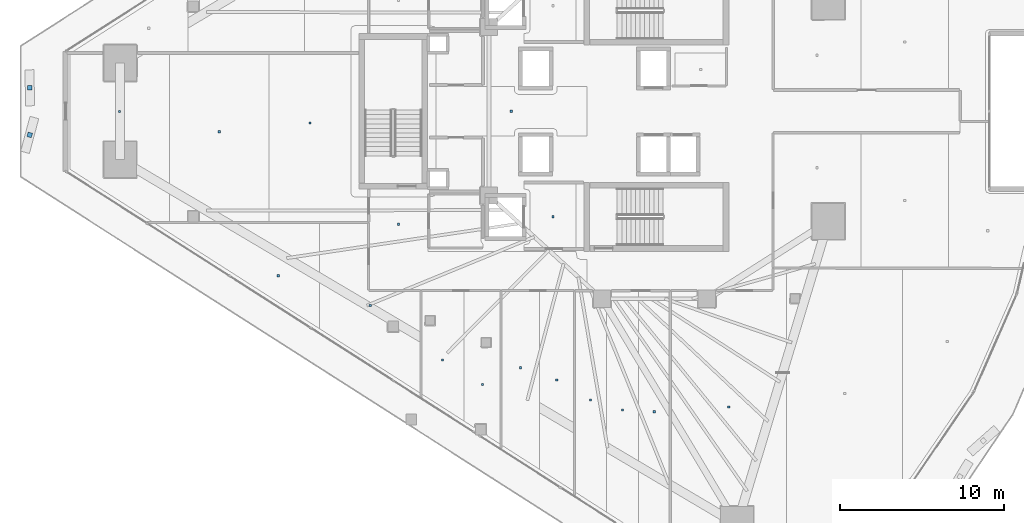
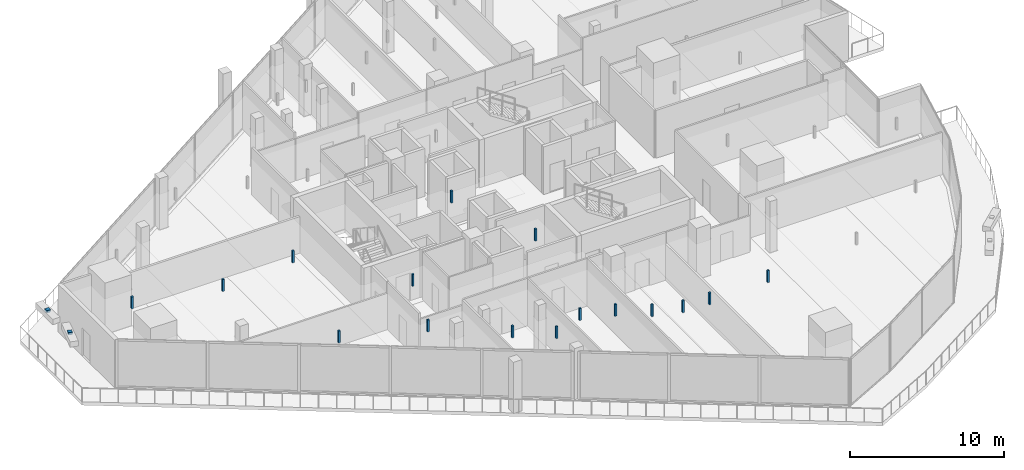
# One storey, part 29 of 39: 18 discrete accessories.
"""IFC4 building model written with IfcOpenShell, lengths in metres."""

import ifcopenshell
import ifcopenshell.guid

model = None  # the IFC model being written
_history = None  # IfcOwnerHistory: only IFC2X3 demands one
_inside = {}  # id of a spatial element -> (the spatial element, [elements in it])
_under = {}  # id of a project, library or spatial element -> (it, [spatial elements below it])
_declared = {}  # id of a project -> (the project, [libraries it declares])
_typed = {}  # id of a type object -> (the type object, [elements of that type])
_made_of = {}  # id of a material, layer set ... -> (it, [elements and type objects made of it])


def new_model(schema):
    """Start an empty IFC model of exactly this schema.

    Asked for "IFC4X3", IfcOpenShell would pick the latest addendum, in which some entities
    have other attributes; the version numbers below select the first issue.
    IFC2X3 requires an IfcOwnerHistory on every rooted entity: one is made here for all.
    """
    global model, _history
    if schema == "IFC4X3":
        model = ifcopenshell.file(schema_version=(4, 3, 0, 0))
    else:
        model = ifcopenshell.file(schema=schema)
    _inside.clear()
    _under.clear()
    _declared.clear()
    _typed.clear()
    _made_of.clear()
    _history = None
    if model.schema == "IFC2X3":
        org = make("IfcOrganization", Name="unknown")
        user = make(
            "IfcPersonAndOrganization",
            ThePerson=make("IfcPerson", FamilyName="unknown"),
            TheOrganization=org,
        )
        app = make(
            "IfcApplication",
            ApplicationDeveloper=org,
            Version="unknown",
            ApplicationFullName="unknown",
            ApplicationIdentifier="unknown",
        )
        _history = make(
            "IfcOwnerHistory",
            OwningUser=user,
            OwningApplication=app,
            ChangeAction="ADDED",
            CreationDate=0,
        )
    return model


def make(cls, **values):
    """One entity of the class cls with the attributes given. An attribute that is None is left unset."""
    return model.create_entity(
        cls, **{name: value for name, value in values.items() if value is not None}
    )


def rooted(cls, **values):
    """An entity with a GlobalId (a new one), such as an element, a storey or a relation."""
    return make(cls, GlobalId=ifcopenshell.guid.new(), OwnerHistory=_history, **values)


def si_unit(unit_type, name, prefix=None):
    """IfcSIUnit, for example si_unit("LENGTHUNIT", "METRE", prefix="MILLI")."""
    return make("IfcSIUnit", UnitType=unit_type, Prefix=prefix, Name=name)


def assignment(units):
    """IfcUnitAssignment: the units of a project."""
    return None if units is None else make("IfcUnitAssignment", Units=units)


def point(xyz):
    """IfcCartesianPoint."""
    return None if xyz is None else make("IfcCartesianPoint", Coordinates=xyz)


def direction(xyz):
    """IfcDirection."""
    return None if xyz is None else make("IfcDirection", DirectionRatios=xyz)


def frame(location, z_axis=None, x_axis=None):
    """IfcAxis2Placement3D, a coordinate frame: its origin and axes. An axis left out is left unset."""
    return make(
        "IfcAxis2Placement3D",
        Location=point(location),
        Axis=direction(z_axis),
        RefDirection=direction(x_axis),
    )


def frame_2d(location, x_axis=None):
    """IfcAxis2Placement2D, a coordinate frame in the plane: its origin and x axis."""
    return make(
        "IfcAxis2Placement2D", Location=point(location), RefDirection=direction(x_axis)
    )


def origin():
    """The frame at (0, 0, 0) with its axes left unset."""
    return frame((0.0, 0.0, 0.0))


def origin_2d():
    """The frame at (0, 0) in the plane with its x axis left unset."""
    return frame_2d((0.0, 0.0))


def place(relative_to, where):
    """IfcLocalPlacement: puts the frame where relative to a parent placement (None: the world)."""
    return make(
        "IfcLocalPlacement", PlacementRelTo=relative_to, RelativePlacement=where
    )


def context(
    kind, dimensions, precision=None, world=None, true_north=None, identifier=None
):
    """IfcGeometricRepresentationContext, for example the 3D "Model" context."""
    return make(
        "IfcGeometricRepresentationContext",
        ContextIdentifier=identifier,
        ContextType=kind,
        CoordinateSpaceDimension=dimensions,
        Precision=precision,
        WorldCoordinateSystem=world,
        TrueNorth=true_north,
    )


def subcontext(parent, identifier, kind, view, scale=None):
    """IfcGeometricRepresentationSubContext, for example "Body" below "Model"."""
    return make(
        "IfcGeometricRepresentationSubContext",
        ContextIdentifier=identifier,
        ContextType=kind,
        ParentContext=parent,
        TargetScale=scale,
        TargetView=view,
    )


def project(units=None, contexts=None):
    """IfcProject with its units and contexts."""
    return rooted(
        "IfcProject",
        Name="project",
        RepresentationContexts=contexts,
        UnitsInContext=assignment(units),
    )


def spatial(cls, under=None, at=None, **own):
    """A site, building, storey or space (cls), placed at a placement, below another one or the project."""
    s = rooted(cls, ObjectPlacement=at, **own)
    if under is not None:
        _under.setdefault(under.id(), (under, []))[1].append(s)
    return s


def profile(cls, at=None, kind="AREA", **sizes):
    """A parametric profile (cls). Its sizes go by their IFC names, for example OverallWidth=200.0."""
    return make(cls, ProfileType=kind, Position=at, **sizes)


def rectangle(**sizes):
    """IfcRectangleProfileDef."""
    return profile("IfcRectangleProfileDef", **sizes)


def extrude(swept, where, along, depth):
    """IfcExtrudedAreaSolid: the profile swept, set in the frame where, extruded along a direction by depth."""
    return make(
        "IfcExtrudedAreaSolid",
        SweptArea=swept,
        Position=where,
        ExtrudedDirection=direction(along),
        Depth=depth,
    )


def shape(context_of_items, identifier, shape_type, items):
    """IfcShapeRepresentation: the items that make up one representation, for example the "Body"."""
    return make(
        "IfcShapeRepresentation",
        ContextOfItems=context_of_items,
        RepresentationIdentifier=identifier,
        RepresentationType=shape_type,
        Items=items,
    )


def material(Name=None, Category=None):
    """IfcMaterial."""
    return make("IfcMaterial", Name=Name, Category=Category)


def made_of(thing, what):
    """Note that an element or type object is made of a material, layer set ...; save() writes the relation."""
    if what is not None:
        _made_of.setdefault(what.id(), (what, []))[1].append(thing)
    return thing


def type_object(cls, material=None, **own):
    """A type object (cls), such as IfcWallType, which elements share."""
    return made_of(rooted(cls, **own), material)


def element(
    cls,
    number,
    at=None,
    inside=None,
    cuts=None,
    type_object=None,
    material=None,
    context=None,
    identifier="Body",
    shape_type=None,
    held_by="IfcProductDefinitionShape",
    body=None,
    shapes=None,
    **own,
):
    """One element of the class cls, such as IfcWall. Its Tag is "e" and its number.

    at: its placement. inside: the storey or other place that contains it. cuts: it is an
    opening in that element (IfcRelVoidsElement). A single representation is given by context,
    identifier, shape_type and body (its items); several are given by shapes. held_by: the class
    of the entity that holds the representations. save() writes the other relations.
    """
    e = rooted(cls, Tag="e%d" % number, ObjectPlacement=at, **own)
    if body is not None:
        shapes = [shape(context, identifier, shape_type, body)]
    if shapes is not None:
        e.Representation = make(held_by, Representations=shapes)
    if inside is not None:
        _inside.setdefault(inside.id(), (inside, []))[1].append(e)
    if cuts is not None:
        rooted(
            "IfcRelVoidsElement", RelatingBuildingElement=cuts, RelatedOpeningElement=e
        )
    if type_object is not None:
        _typed.setdefault(type_object.id(), (type_object, []))[1].append(e)
    return made_of(e, material)


def aggregate(whole, parts):
    """IfcRelAggregates: a whole, such as a stair, and the parts it consists of."""
    return rooted("IfcRelAggregates", RelatingObject=whole, RelatedObjects=parts)


def save(model, path):
    """Write the relations noted so far, then the file.

    IfcRelAggregates (storeys below a building ...), IfcRelContainedInSpatialStructure (elements
    in a storey), IfcRelDefinesByType, IfcRelAssociatesMaterial and IfcRelDeclares: one each for
    every whole, place, type object, material and project.
    """
    for whole, parts in _under.values():
        aggregate(whole, parts)
    for where, things in _inside.values():
        rooted(
            "IfcRelContainedInSpatialStructure",
            RelatedElements=things,
            RelatingStructure=where,
        )
    for kind, things in _typed.values():
        rooted("IfcRelDefinesByType", RelatedObjects=things, RelatingType=kind)
    for what, things in _made_of.values():
        rooted("IfcRelAssociatesMaterial", RelatedObjects=things, RelatingMaterial=what)
    for by, libraries in _declared.values():
        rooted("IfcRelDeclares", RelatingContext=by, RelatedDefinitions=libraries)
    model.write(path)


model = new_model("IFC4")

# Units and contexts
model_context = context("Model", 3, precision=1e-05, world=origin(), true_north=direction((0.0, 1.0)))
body_context = subcontext(model_context, "Body", "Model", "MODEL_VIEW")
ifc_project = project(units=[si_unit("LENGTHUNIT", "METRE"), si_unit("AREAUNIT", "SQUARE_METRE"), si_unit("VOLUMEUNIT", "CUBIC_METRE"), si_unit("PLANEANGLEUNIT", "RADIAN"), si_unit("MASSUNIT", "GRAM", prefix="KILO")], contexts=[model_context])

# Site, building, storey
site_placement = place(None, origin())
site = spatial("IfcSite", under=ifc_project, at=site_placement, CompositionType="ELEMENT")
building_placement = place(site_placement, origin())
building = spatial("IfcBuilding", under=site, at=building_placement, Name="Qorvath Tower", CompositionType="ELEMENT")
storey_placement = place(building_placement, frame((0.0, 0.0, 162.449951171875)))
storey = spatial("IfcBuildingStorey", under=building, at=storey_placement, Name="L37", CompositionType="ELEMENT", Elevation=162.449951171875)

# Discrete accessories
ifc_material = material(Name="Galvanised steel bracket", Category="steel")
discrete_accessory_type = type_object("IfcDiscreteAccessoryType", Name="DA-BRACKET", PredefinedType="BRACKET", material=ifc_material)
for number, where, z_axis, x_axis, name in (
    (1, (-58.5732421875, 1.440185546875, 3.64013671875), (0.0, 0.0, 1.0), (0.016920159644, -0.999856843852, 0.0), "Louvre Wave Support Bracket L37-01"),
    (2, (-58.576171875, -1.440185546875, 3.64013671875), (0.0, 0.0, 1.0), (-0.258770154872, -0.965938925061, 0.0), "Louvre Wave Support Bracket L37-02"),
):
    element("IfcDiscreteAccessory", number, at=place(storey_placement, frame(where, z_axis=z_axis, x_axis=x_axis)), inside=storey, type_object=discrete_accessory_type, Name=name, PredefinedType="NOTDEFINED", context=body_context, shape_type="SweptSolid", body=[
        extrude(rectangle(XDim=0.280029296875, YDim=0.280029296875, at=origin_2d()), origin(), (0.0, 0.0, 1.0), 0.199951171875),
    ])
for number, where, z_axis, x_axis, name in (
    (3, (-26.590087890625, -6.449951171875, 2.85986328125), (0.0, 0.0, 1.0), (1.0, 0.0, 0.0), "Acoustic Ceiling Suspension Hanger T1-L37-002"),
    (4, (-36.04150390625, -6.906982421875, 2.85986328125), (0.0, 0.0, 1.0), (1.0, 0.0, 0.0), "Acoustic Ceiling Suspension Hanger T1-L37-008"),
    (5, (-29.140625, 0.0, 2.85986328125), (0.0, 0.0, 1.0), (1.0, 0.0, 0.0), "Acoustic Ceiling Suspension Hanger T1-L37-010"),
    (6, (-33.346923828125, -15.1923828125, 2.85986328125), (0.0, 0.0, 1.0), (1.0, 0.0, 0.0), "Acoustic Ceiling Suspension Hanger T1-L37-022"),
    (7, (-30.909423828125, -16.687744140625, 2.85986328125), (0.0, 0.0, 1.0), (1.0, 0.0, 0.0), "Acoustic Ceiling Suspension Hanger T1-L37-023"),
    (8, (-28.587646484375, -15.673828125, 2.85986328125), (0.0, 0.0, 1.0), (1.0, 0.0, 0.0), "Acoustic Ceiling Suspension Hanger T1-L37-024"),
    (9, (-26.357177734375, -16.41796875, 2.85986328125), (0.0, 0.0, 1.0), (1.0, 0.0, 0.0), "Acoustic Ceiling Suspension Hanger T1-L37-025"),
    (10, (-24.29833984375, -17.64111328125, 2.85986328125), (0.0, 0.0, 1.0), (1.0, 0.0, 0.0), "Acoustic Ceiling Suspension Hanger T1-L37-026"),
    (11, (-22.349609375, -18.257568359375, 2.85986328125), (0.0, 0.0, 1.0), (1.0, 0.0, 0.0), "Acoustic Ceiling Suspension Hanger T1-L37-027"),
    (12, (-20.400634765625, -18.350830078125, 2.85986328125), (0.0, 0.0, 1.0), (1.0, 0.0, 0.0), "Acoustic Ceiling Suspension Hanger T1-L37-028"),
    (13, (-15.861572265625, -18.0693359375, 2.85986328125), (0.0, 0.0, 1.0), (1.0, 0.0, 0.0), "Acoustic Ceiling Suspension Hanger T1-L37-029"),
    (14, (-43.388427734375, -10.048095703125, 2.85986328125), (0.0, 0.0, 1.0), (1.0, 0.0, 0.0), "Acoustic Ceiling Suspension Hanger T1-L37-041"),
    (15, (-37.757568359375, -11.865478515625, 2.85986328125), (0.0, 0.0, 1.0), (1.0, 0.0, 0.0), "Acoustic Ceiling Suspension Hanger T1-L37-042"),
    (16, (-53.083251953125, -0.0087890625, 2.85986328125), (0.0, 0.0, 1.0), (1.0, 0.0, 0.0), "Acoustic Ceiling Suspension Hanger T1-L37-043"),
    (17, (-46.9951171875, -1.238525390625, 2.85986328125), (0.0, 0.0, 1.0), (1.0, 0.0, 0.0), "Acoustic Ceiling Suspension Hanger T1-L37-044"),
    (18, (-41.45068359375, -0.713623046875, 2.85986328125), (0.0, 0.0, 1.0), (1.0, 0.0, 0.0), "Acoustic Ceiling Suspension Hanger T1-L37-045"),
):
    element("IfcDiscreteAccessory", number, at=place(storey_placement, frame(where, z_axis=z_axis, x_axis=x_axis)), inside=storey, type_object=discrete_accessory_type, Name=name, PredefinedType="NOTDEFINED", context=body_context, shape_type="SweptSolid", body=[
        extrude(rectangle(XDim=0.139892578125, YDim=0.139892578125, at=origin_2d()), origin(), (0.0, 0.0, 1.0), 0.949951171875),
    ])

save(model, "model.ifc")
